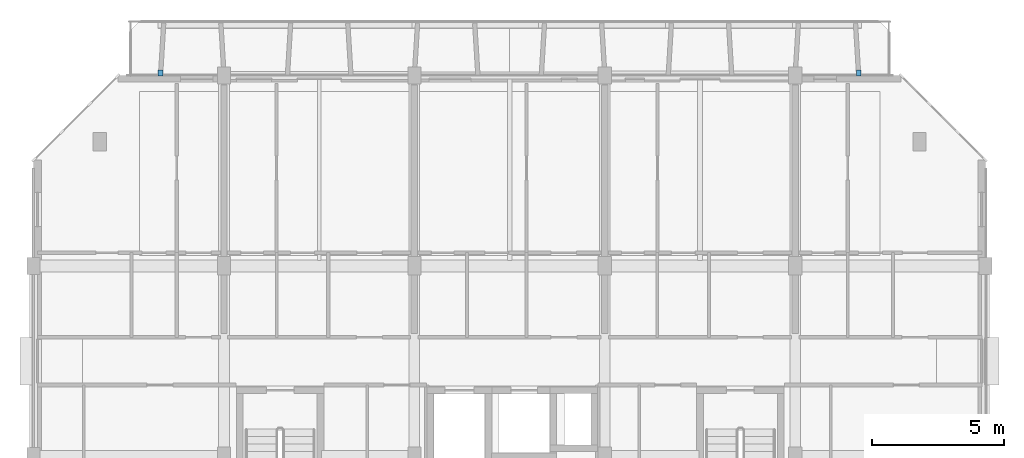
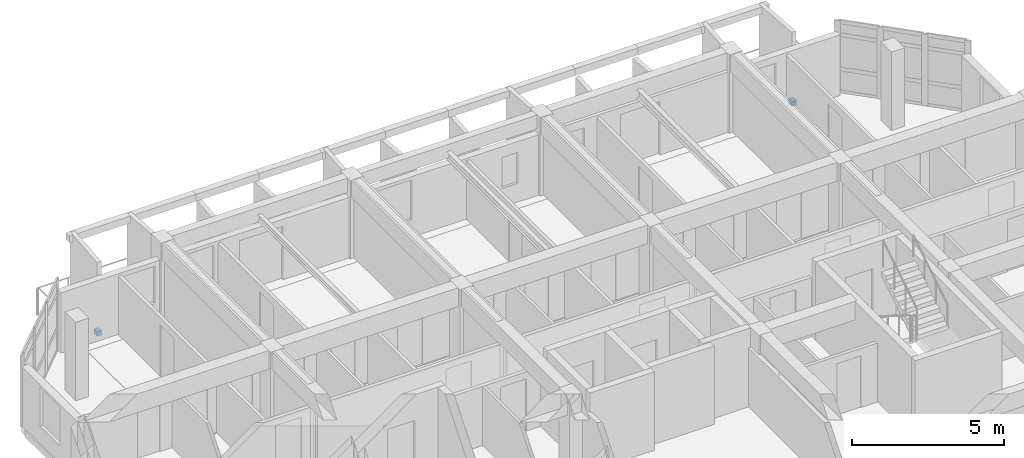
# One storey, part 49 of 64: 2 discrete accessories.
"""IFC4 building model written with IfcOpenShell, lengths in metres."""

from ifc_helpers import new_model, si_unit, direction, frame, origin, origin_2d, place, context, subcontext, project, spatial, rectangle, extrude, material, type_object, element, save


model = new_model("IFC4")

# Units and contexts
model_context = context("Model", 3, precision=1e-05, world=origin(), true_north=direction((0.0, 1.0)))
body_context = subcontext(model_context, "Body", "Model", "MODEL_VIEW")
ifc_project = project(units=[si_unit("LENGTHUNIT", "METRE"), si_unit("AREAUNIT", "SQUARE_METRE"), si_unit("VOLUMEUNIT", "CUBIC_METRE"), si_unit("PLANEANGLEUNIT", "RADIAN"), si_unit("MASSUNIT", "GRAM", prefix="KILO")], contexts=[model_context])

# Site, building, storey
site_placement = place(None, origin())
site = spatial("IfcSite", under=ifc_project, at=site_placement, CompositionType="ELEMENT")
building_placement = place(site_placement, origin())
building = spatial("IfcBuilding", under=site, at=building_placement, Name="Ochrevale Crest", CompositionType="ELEMENT")
storey_placement = place(building_placement, frame((0.0, 0.0, 8.699951171875)))
storey = spatial("IfcBuildingStorey", under=building, at=storey_placement, Name="L02", CompositionType="ELEMENT", Elevation=8.699951171875)

# Discrete accessories
ifc_material = material(Name="Galvanised steel", Category="steel")
discrete_accessory_type = type_object("IfcDiscreteAccessoryType", Name="ACC-BRK-HC", PredefinedType="BRACKET", material=ifc_material)
for number, where, z_axis, x_axis, name in (
    (1, (4.800048828125, 93.699951171875, 0.0), (0.0, 0.0, 1.0), (1.0, 0.0, 0.0), "Block B L02 precast loggia corbel bracket"),
    (2, (31.199951171875, 93.699951171875, 0.0), (0.0, 0.0, 1.0), (1.0, 0.0, 0.0), "Block B L02 precast loggia corbel bracket"),
):
    element("IfcDiscreteAccessory", number, at=place(storey_placement, frame(where, z_axis=z_axis, x_axis=x_axis)), inside=storey, type_object=discrete_accessory_type, Name=name, PredefinedType="BRACKET", context=body_context, shape_type="SweptSolid", body=[
        extrude(rectangle(XDim=0.179931640625, YDim=0.219970703125, at=origin_2d()), origin(), (0.0, 0.0, 1.0), 0.179931640625),
    ])

save(model, "model.ifc")
